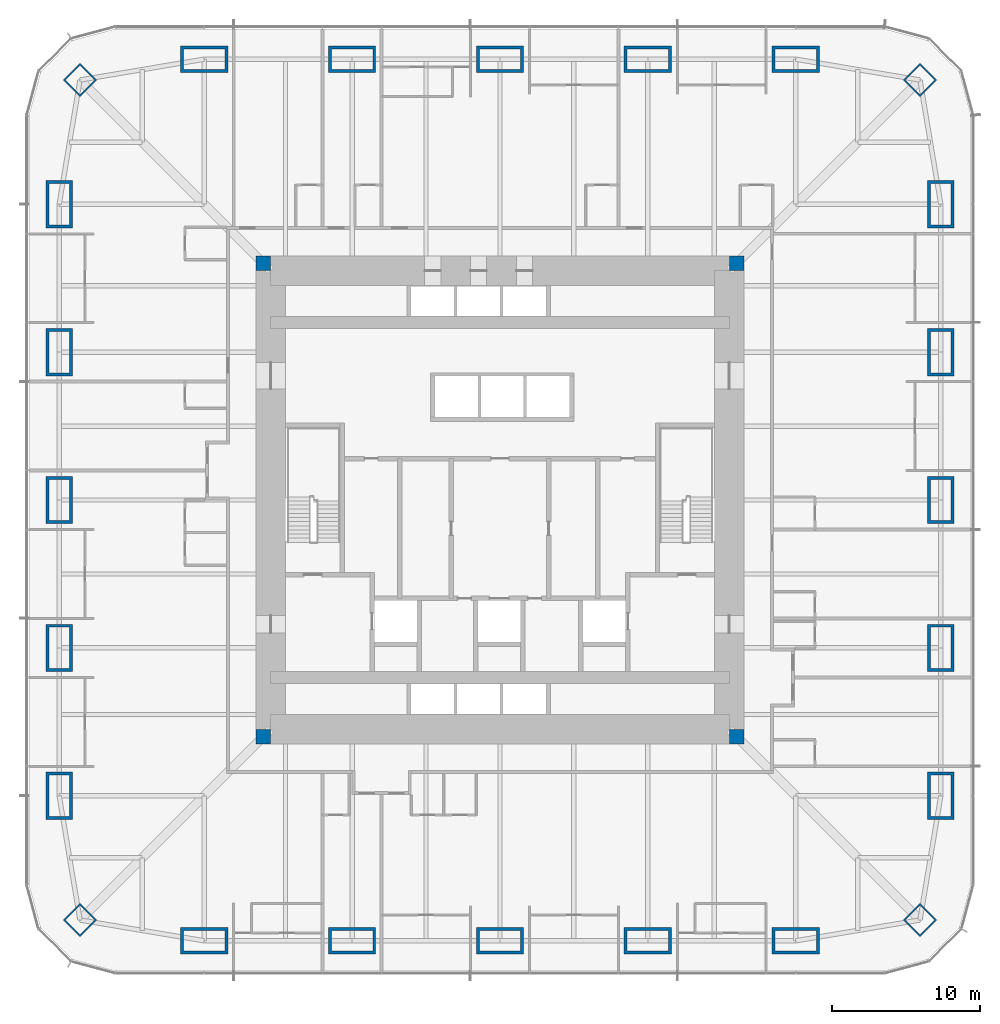
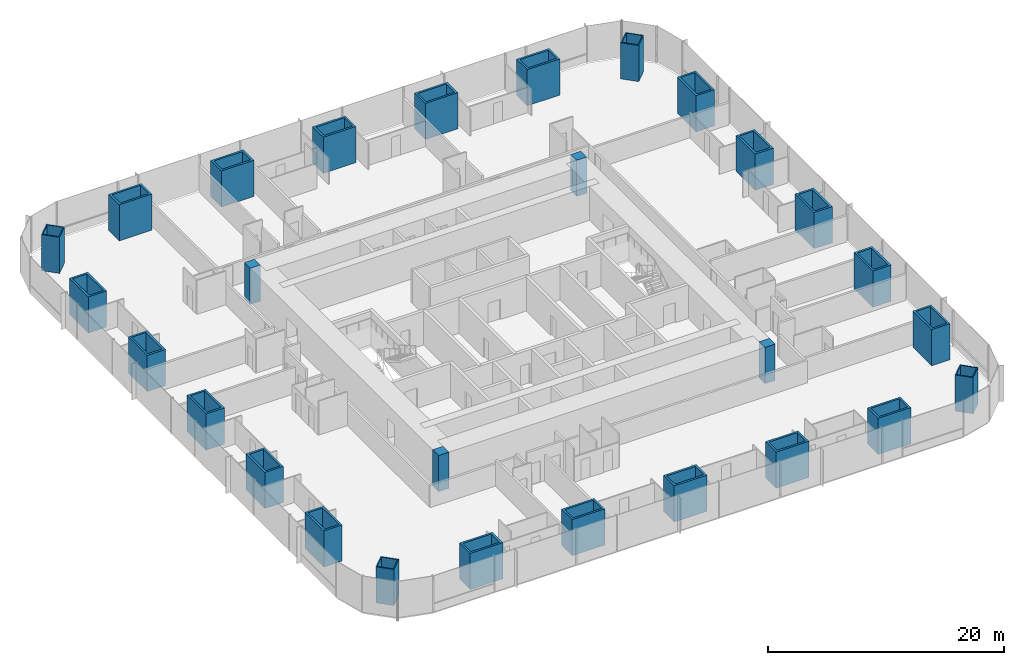
# One storey, part 1 of 20: 28 columns.
"""IFC4 building model written with IfcOpenShell, lengths in metres."""

from ifc_helpers import new_model, si_unit, direction, frame, origin, origin_2d, place, context, subcontext, project, spatial, rectangle, hollow_rectangle, extrude, material, material_profile, profile_set, type_object, element, save


model = new_model("IFC4")

# Units and contexts
model_context = context("Model", 3, precision=1e-05, world=origin(), true_north=direction((0.0, 1.0)))
body_context = subcontext(model_context, "Body", "Model", "MODEL_VIEW")
ifc_project = project(units=[si_unit("LENGTHUNIT", "METRE"), si_unit("AREAUNIT", "SQUARE_METRE"), si_unit("VOLUMEUNIT", "CUBIC_METRE"), si_unit("PLANEANGLEUNIT", "RADIAN"), si_unit("MASSUNIT", "GRAM", prefix="KILO")], contexts=[model_context])

# Site, building, storey
site_placement = place(None, origin())
site = spatial("IfcSite", under=ifc_project, at=site_placement, CompositionType="ELEMENT")
building_placement = place(site_placement, origin())
building = spatial("IfcBuilding", under=site, at=building_placement, Name="Khuree Lantern Residences", CompositionType="ELEMENT")
storey_placement = place(building_placement, frame((0.0, 0.0, 32.25)))
storey = spatial("IfcBuildingStorey", under=building, at=storey_placement, Name="L07", CompositionType="ELEMENT", Elevation=32.25)

# Columns
ifc_material_1 = material(Name="Steel S355 CFT welded box", Category="steel")
ifc_material_profile_1 = material_profile(ifc_material_1, hollow_rectangle(XDim=1.60009765625, YDim=1.60009765625, WallThickness=0.10009765625, at=origin_2d()), Name="WELDED BOX 1600X1600X100")
ifc_profile_set_1 = profile_set([ifc_material_profile_1], Name="Steel S355 CFT welded box")
column_type_1 = type_object("IfcColumnType", Name="CC1600 PERIMETER CORNER MEGA COLUMN WELDED BOX 1600X1600X100", PredefinedType="COLUMN", material=ifc_profile_set_1)
for number, where, z_axis, x_axis, name in (
    (1, (28.39404296875, 28.39404296875, 0.0), (0.0, 0.0, 1.0), (0.707106781187, -0.707106781187, 0.0), "Perimeter column NE"),
    (2, (28.39404296875, -28.39404296875, 0.0), (0.0, 0.0, 1.0), (0.707106781187, 0.707106781187, 0.0), "Perimeter column SE"),
    (3, (-28.39404296875, -28.39404296875, 0.0), (0.0, 0.0, 1.0), (0.707106781187, -0.707106781187, 0.0), "Perimeter column SW"),
    (4, (-28.39404296875, 28.39404296875, 0.0), (0.0, 0.0, 1.0), (0.707106781187, 0.707106781187, 0.0), "Perimeter column NW"),
):
    element("IfcColumn", number, at=place(storey_placement, frame(where, z_axis=z_axis, x_axis=x_axis)), inside=storey, type_object=column_type_1, Name=name, PredefinedType="COLUMN", context=body_context, shape_type="SweptSolid", body=[
        extrude(hollow_rectangle(XDim=1.60009765625, YDim=1.60009765625, WallThickness=0.10009765625, at=origin_2d()), origin(), (0.0, 0.0, 1.0), 3.75),
    ])
ifc_material_2 = material(Name="Concrete C70/85", Category="concrete")
ifc_material_profile_2 = material_profile(ifc_material_2, rectangle(XDim=1.0, YDim=1.0, at=origin_2d()), Name="RC 1000X1000")
ifc_profile_set_2 = profile_set([ifc_material_profile_2], Name="Concrete C70/85")
column_type_2 = type_object("IfcColumnType", Name="CP1000-C70 CORE CORNER PIER C70 RC 1000X1000", PredefinedType="COLUMN", material=ifc_profile_set_2)
for number, where, z_axis, x_axis, name in (
    (5, (16.0, 16.0, -0.25), (0.0, 0.0, 1.0), (1.0, 0.0, 0.0), "Core corner pier NE"),
    (6, (-16.0, 16.0, -0.25), (0.0, 0.0, 1.0), (1.0, 0.0, 0.0), "Core corner pier NW"),
    (7, (-16.0, -16.0, -0.25), (0.0, 0.0, 1.0), (1.0, 0.0, 0.0), "Core corner pier SW"),
    (8, (16.0, -16.0, -0.25), (0.0, 0.0, 1.0), (1.0, 0.0, 0.0), "Core corner pier SE"),
):
    element("IfcColumn", number, at=place(storey_placement, frame(where, z_axis=z_axis, x_axis=x_axis)), inside=storey, type_object=column_type_2, Name=name, PredefinedType="COLUMN", context=body_context, shape_type="SweptSolid", body=[
        extrude(rectangle(XDim=1.0, YDim=1.0, at=origin_2d()), origin(), (0.0, 0.0, 1.0), 3.75),
    ])
ifc_material_profile_3 = material_profile(ifc_material_1, hollow_rectangle(XDim=3.199951171875, YDim=1.800048828125, WallThickness=0.199951171875, at=origin_2d()), Name="WELDED BOX 3200X1800X200")
ifc_profile_set_3 = profile_set([ifc_material_profile_3], Name="Steel S355 CFT welded box")
column_type_3 = type_object("IfcColumnType", Name="SC1 PERIMETER MEGA COLUMN WELDED BOX 3200X1800X200", PredefinedType="COLUMN", material=ifc_profile_set_3)
for number, where, z_axis, x_axis, name in (
    (9, (-20.0, 29.800048828125, 0.0), (0.0, 0.0, 1.0), (1.0, 0.0, 0.0), "Perimeter column N1"),
    (10, (-10.0, 29.800048828125, 0.0), (0.0, 0.0, 1.0), (1.0, 0.0, 0.0), "Perimeter column N2"),
    (11, (0.0, 29.800048828125, 0.0), (0.0, 0.0, 1.0), (1.0, 0.0, 0.0), "Perimeter column N3"),
    (12, (10.0, 29.800048828125, 0.0), (0.0, 0.0, 1.0), (1.0, 0.0, 0.0), "Perimeter column N4"),
    (13, (20.0, 29.800048828125, 0.0), (0.0, 0.0, 1.0), (1.0, 0.0, 0.0), "Perimeter column N5"),
    (14, (29.800048828125, 20.0, 0.0), (0.0, 0.0, 1.0), (0.0, 1.0, 0.0), "Perimeter column E1"),
    (15, (29.800048828125, 10.0, 0.0), (0.0, 0.0, 1.0), (0.0, 1.0, 0.0), "Perimeter column E2"),
    (16, (29.800048828125, 0.0, 0.0), (0.0, 0.0, 1.0), (0.0, 1.0, 0.0), "Perimeter column E3"),
    (17, (29.800048828125, -10.0, 0.0), (0.0, 0.0, 1.0), (0.0, 1.0, 0.0), "Perimeter column E4"),
    (18, (29.800048828125, -20.0, 0.0), (0.0, 0.0, 1.0), (0.0, 1.0, 0.0), "Perimeter column E5"),
    (19, (20.0, -29.800048828125, 0.0), (0.0, 0.0, 1.0), (1.0, 0.0, 0.0), "Perimeter column S1"),
    (20, (10.0, -29.800048828125, 0.0), (0.0, 0.0, 1.0), (1.0, 0.0, 0.0), "Perimeter column S2"),
    (21, (0.0, -29.800048828125, 0.0), (0.0, 0.0, 1.0), (1.0, 0.0, 0.0), "Perimeter column S3"),
    (22, (-10.0, -29.800048828125, 0.0), (0.0, 0.0, 1.0), (1.0, 0.0, 0.0), "Perimeter column S4"),
    (23, (-20.0, -29.800048828125, 0.0), (0.0, 0.0, 1.0), (1.0, 0.0, 0.0), "Perimeter column S5"),
    (24, (-29.800048828125, -20.0, 0.0), (0.0, 0.0, 1.0), (0.0, 1.0, 0.0), "Perimeter column W1"),
    (25, (-29.800048828125, -10.0, 0.0), (0.0, 0.0, 1.0), (0.0, 1.0, 0.0), "Perimeter column W2"),
    (26, (-29.800048828125, 0.0, 0.0), (0.0, 0.0, 1.0), (0.0, 1.0, 0.0), "Perimeter column W3"),
    (27, (-29.800048828125, 10.0, 0.0), (0.0, 0.0, 1.0), (0.0, 1.0, 0.0), "Perimeter column W4"),
    (28, (-29.800048828125, 20.0, 0.0), (0.0, 0.0, 1.0), (0.0, 1.0, 0.0), "Perimeter column W5"),
):
    element("IfcColumn", number, at=place(storey_placement, frame(where, z_axis=z_axis, x_axis=x_axis)), inside=storey, type_object=column_type_3, Name=name, PredefinedType="COLUMN", context=body_context, shape_type="SweptSolid", body=[
        extrude(hollow_rectangle(XDim=3.199951171875, YDim=1.800048828125, WallThickness=0.199951171875, at=origin_2d()), origin(), (0.0, 0.0, 1.0), 3.75),
    ])

save(model, "model.ifc")
